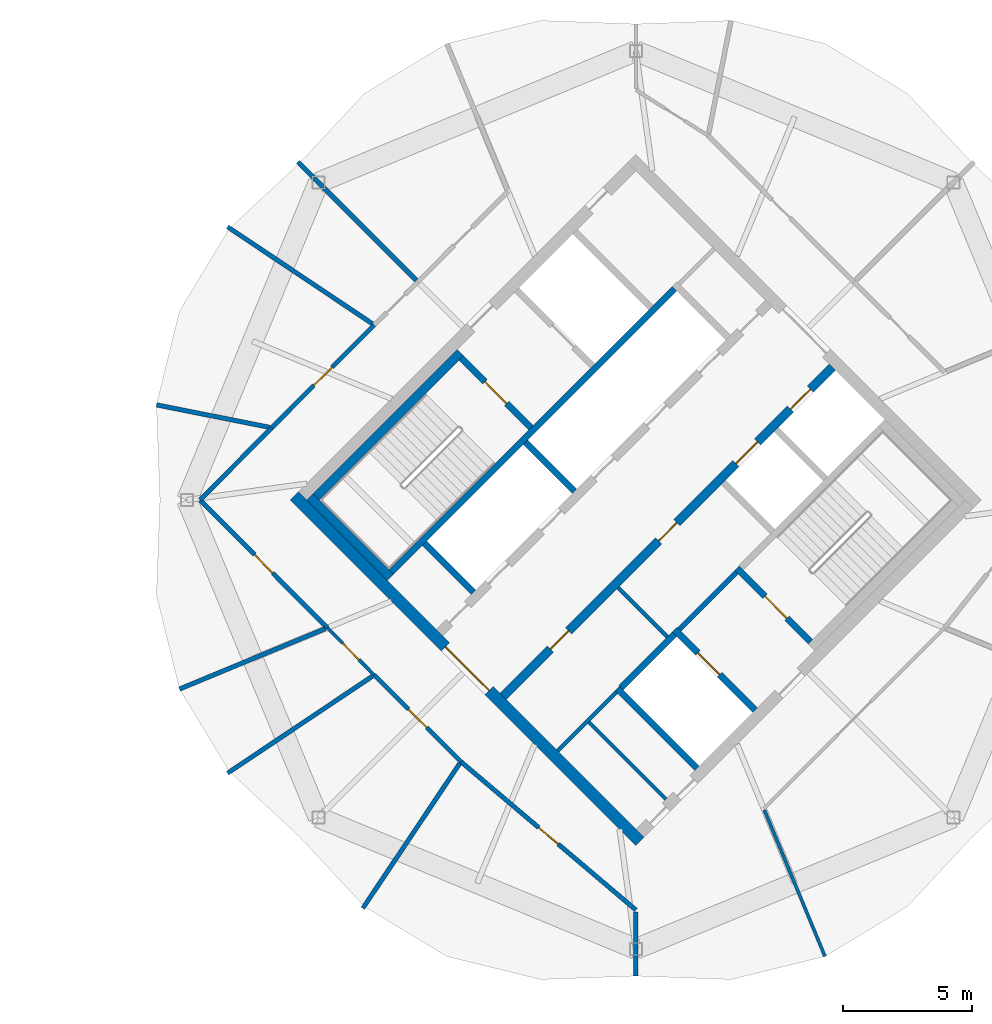
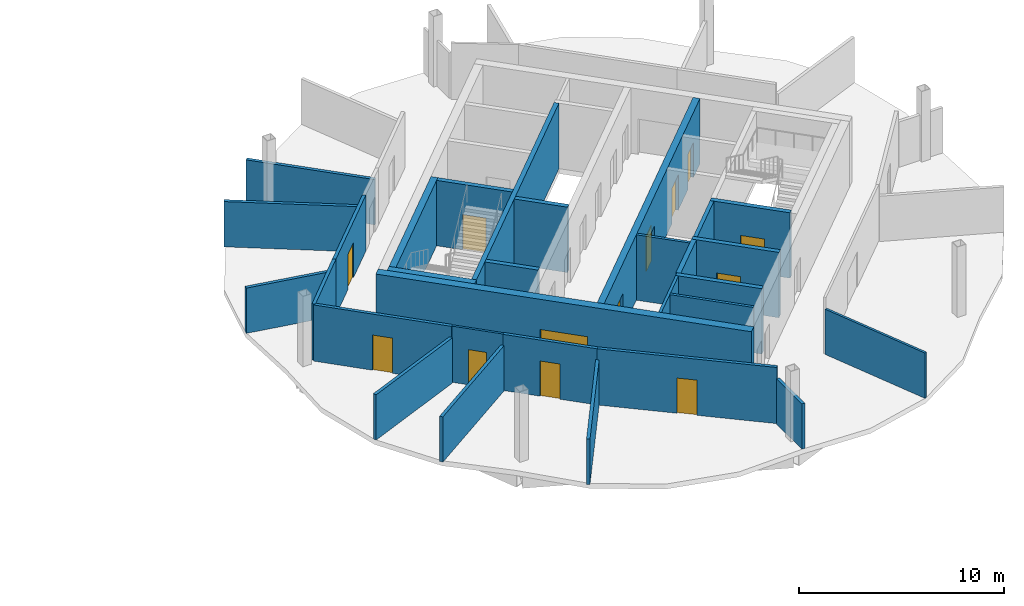
# One storey, part 7 of 11: 30 walls, 13 doors, 13 openings.
"""IFC4 building model written with IfcOpenShell, lengths in metres."""

from ifc_helpers import new_model, si_unit, direction, frame, frame_2d, origin, place, context, subcontext, project, spatial, rectangle, extrude, material, layer, layer_set, type_object, element, fill, save


model = new_model("IFC4")

# Units and contexts
model_context = context("Model", 3, precision=1e-05, world=origin(), true_north=direction((0.0, 1.0)))
body_context = subcontext(model_context, "Body", "Model", "MODEL_VIEW")
ifc_project = project(units=[si_unit("LENGTHUNIT", "METRE"), si_unit("AREAUNIT", "SQUARE_METRE"), si_unit("VOLUMEUNIT", "CUBIC_METRE"), si_unit("PLANEANGLEUNIT", "RADIAN"), si_unit("MASSUNIT", "GRAM", prefix="KILO")], contexts=[model_context])

# Site, building, storey
site_placement = place(None, origin())
site = spatial("IfcSite", under=ifc_project, at=site_placement, CompositionType="ELEMENT")
building_placement = place(site_placement, origin())
building = spatial("IfcBuilding", under=site, at=building_placement, Name="Ogive Gate Towers", CompositionType="ELEMENT")
storey_placement = place(building_placement, frame((0.0, 0.0, 281.39990234375)))
storey = spatial("IfcBuildingStorey", under=building, at=storey_placement, Name="L66", CompositionType="ELEMENT", Elevation=281.39990234375)

# Walls
ifc_material_1 = material(Name="Gypsum board acoustic partition")
ifc_layer_1 = layer(ifc_material_1, 0.175048828125)
ifc_layer_set_1 = layer_set([ifc_layer_1], Name="Acoustic partition 175")
wall_type_1 = type_object("IfcWallType", Name="Acoustic partition 175", PredefinedType="PARTITIONING", material=ifc_layer_set_1)
wall_1_placement = place(storey_placement, frame((22.8544921875, 13.1455078125, 0.0), z_axis=(0.0, 0.0, 1.0), x_axis=(0.707106781187, -0.707106781187, 0.0)))
element("IfcWall", 1, at=wall_1_placement, inside=storey, type_object=wall_type_1, Name="Partition T2-L66-007", PredefinedType="PARTITIONING", context=body_context, shape_type="SweptSolid", body=[
    extrude(rectangle(XDim=6.51318359375, YDim=0.175048828125, at=frame_2d((3.256591796875, 0.0))), origin(), (0.0, 0.0, 1.0), 2.7001953125),
])
wall_2_placement = place(storey_placement, frame((20.122314453125, 10.62060546875, 0.0), z_axis=(0.0, 0.0, 1.0), x_axis=(0.831189880974, -0.555988652551, 0.0)))
element("IfcWall", 2, at=wall_2_placement, inside=storey, type_object=wall_type_1, Name="Partition T2-L66-008", PredefinedType="PARTITIONING", context=body_context, shape_type="SweptSolid", body=[
    extrude(rectangle(XDim=6.774169921875, YDim=0.175048828125, at=frame_2d((3.38720703125, 0.0))), origin(), (0.0, 0.0, 1.0), 2.7001953125),
])
wall_3_placement = place(storey_placement, frame((17.35400390625, 3.69921875, 0.0), z_axis=(0.0, 0.0, 1.0), x_axis=(0.980883320756, -0.194596790988, 0.0)))
element("IfcWall", 3, at=wall_3_placement, inside=storey, type_object=wall_type_1, Name="Partition T2-L66-009", PredefinedType="PARTITIONING", context=body_context, shape_type="SweptSolid", body=[
    extrude(rectangle(XDim=4.4814453125, YDim=0.175048828125, at=frame_2d((2.24072265625, 0.0))), origin(), (0.0, 0.0, 1.0), 2.7001953125),
])
wall_4_placement = place(storey_placement, frame((18.252197265625, -7.351318359375, 0.0), z_axis=(0.0, 0.0, 1.0), x_axis=(0.923879494329, 0.382683524544, 0.0)))
element("IfcWall", 4, at=wall_4_placement, inside=storey, type_object=wall_type_1, Name="Partition T2-L66-010", PredefinedType="PARTITIONING", context=body_context, shape_type="SweptSolid", body=[
    extrude(rectangle(XDim=6.131591796875, YDim=0.175048828125, at=frame_2d((3.06591796875, 0.0))), origin(), (0.0, 0.0, 1.0), 2.7001953125),
])
for number, where, z_axis, x_axis, name in (
    (5, (20.122314453125, -10.62060546875, 0.0), (0.0, 0.0, 1.0), (0.831189880974, 0.555988652551, 0.0), "Partition T2-L66-011"),
    (6, (25.37939453125, -15.877685546875, 0.0), (0.0, 0.0, 1.0), (0.555988652551, 0.831189880974, 0.0), "Partition T2-L66-012"),
):
    element("IfcWall", number, at=place(storey_placement, frame(where, z_axis=z_axis, x_axis=x_axis)), inside=storey, type_object=wall_type_1, Name=name, PredefinedType="PARTITIONING", context=body_context, shape_type="SweptSolid", body=[
        extrude(rectangle(XDim=6.774169921875, YDim=0.175048828125, at=frame_2d((3.38720703125, 0.0))), origin(), (0.0, 0.0, 1.0), 2.7001953125),
    ])
wall_5_placement = place(storey_placement, frame((36.0, -18.509033203125, 0.0), z_axis=(0.0, 0.0, 1.0), x_axis=(0.0, 1.0, 0.0)))
element("IfcWall", 7, at=wall_5_placement, inside=storey, type_object=wall_type_1, Name="Partition T2-L66-013", PredefinedType="PARTITIONING", context=body_context, shape_type="SweptSolid", body=[
    extrude(rectangle(XDim=2.4814453125, YDim=0.175048828125, at=frame_2d((1.24072265625, 0.0))), origin(), (0.0, 0.0, 1.0), 2.7001953125),
])

# Wall, opening, door
wall_6_placement = place(storey_placement, frame((25.82568359375, -6.805419921875, 0.0), z_axis=(0.0, 0.0, 1.0), x_axis=(0.707106781187, -0.707106781187, 0.0)))
wall_6 = element("IfcWall", 8, at=wall_6_placement, inside=storey, type_object=wall_type_1, Name="Partition T2-L66-017", PredefinedType="PARTITIONING", context=body_context, shape_type="SweptSolid", body=[
    extrude(rectangle(XDim=4.764404296875, YDim=0.175048828125, at=frame_2d((2.38232421875, 0.0))), origin(), (0.0, 0.0, 1.0), 3.35009765625),
])
opening_1_placement = place(wall_6_placement, frame((1.882080078125, 0.0, 0.0)))
opening_1 = element("IfcOpeningElement", 9, at=opening_1_placement, cuts=wall_6, Name="Opening T2-L66-D02", PredefinedType="OPENING", context=body_context, shape_type="SweptSolid", body=[
    extrude(rectangle(XDim=1.0, YDim=2.10009765625, at=frame_2d((0.5, 1.050048828125))), frame((0.0, 0.09765625, 0.0), z_axis=(0.0, -1.0, 0.0), x_axis=(1.0, 0.0, 0.0)), (0.0, 0.0, 1.0), 0.195068359375),
])
ifc_material_2 = material(Name="Timber door", Category="wood")
door_type_1 = type_object("IfcDoorType", Name="Door 1000", OperationType="NOTDEFINED", PredefinedType="DOOR", material=ifc_material_2)
door_1_placement = place(opening_1_placement, origin())
door_1 = element("IfcDoor", 10, at=door_1_placement, inside=storey, type_object=door_type_1, Name="Door T2-L66-D02", OperationType="SINGLE_SWING_LEFT", OverallHeight=2.10009765625, OverallWidth=1.0, PredefinedType="DOOR", context=body_context, shape_type="SweptSolid", body=[
    extrude(rectangle(XDim=1.0, YDim=2.10009765625, at=frame_2d((0.5, 1.050048828125))), frame((0.0, 0.02490234375, 0.0), z_axis=(0.0, -1.0, 0.0), x_axis=(1.0, 0.0, 0.0)), (0.0, 0.0, 1.0), 0.050048828125),
])
fill(opening_1, door_1)

wall_7_placement = place(storey_placement, frame((29.194580078125, -10.17431640625, 0.0), z_axis=(0.0, 0.0, 1.0), x_axis=(0.762974994931, -0.646427998396, 0.0)))
wall_7 = element("IfcWall", 11, at=wall_7_placement, inside=storey, type_object=wall_type_1, Name="Partition T2-L66-018", PredefinedType="PARTITIONING", context=body_context, shape_type="SweptSolid", body=[
    extrude(rectangle(XDim=8.919677734375, YDim=0.175048828125, at=frame_2d((4.4599609375, 0.0))), origin(), (0.0, 0.0, 1.0), 3.35009765625),
])
opening_2_placement = place(wall_7_placement, frame((3.9599609375, 0.0, 0.0)))
opening_2 = element("IfcOpeningElement", 12, at=opening_2_placement, cuts=wall_7, Name="Opening T2-L66-D03", PredefinedType="OPENING", context=body_context, shape_type="SweptSolid", body=[
    extrude(rectangle(XDim=1.0, YDim=2.10009765625, at=frame_2d((0.5, 1.050048828125))), frame((0.0, 0.09765625, 0.0), z_axis=(0.0, -1.0, 0.0), x_axis=(1.0, 0.0, 0.0)), (0.0, 0.0, 1.0), 0.195068359375),
])
door_2_placement = place(opening_2_placement, origin())
door_2 = element("IfcDoor", 13, at=door_2_placement, inside=storey, type_object=door_type_1, Name="Door T2-L66-D03", OperationType="SINGLE_SWING_LEFT", OverallHeight=2.10009765625, OverallWidth=1.0, PredefinedType="DOOR", context=body_context, shape_type="SweptSolid", body=[
    extrude(rectangle(XDim=1.0, YDim=2.10009765625, at=frame_2d((0.5, 1.050048828125))), frame((0.0, 0.02490234375, 0.0), z_axis=(0.0, -1.0, 0.0), x_axis=(1.0, 0.0, 0.0)), (0.0, 0.0, 1.0), 0.050048828125),
])
fill(opening_2, door_2)

wall_8_placement = place(storey_placement, frame((25.82568359375, 6.805419921875, 0.0), z_axis=(0.0, 0.0, 1.0), x_axis=(-0.706674273643, -0.707539024345, 0.0)))
wall_8 = element("IfcWall", 14, at=wall_8_placement, inside=storey, type_object=wall_type_1, Name="Partition T2-L66-026", PredefinedType="PARTITIONING", context=body_context, shape_type="SweptSolid", body=[
    extrude(rectangle(XDim=5.646484375, YDim=0.175048828125, at=frame_2d((2.8232421875, 0.0))), origin(), (0.0, 0.0, 1.0), 3.35009765625),
])
opening_3_placement = place(wall_8_placement, frame((2.322998046875, 0.0, 0.0)))
opening_3 = element("IfcOpeningElement", 15, at=opening_3_placement, cuts=wall_8, Name="Opening T2-L66-D11", PredefinedType="OPENING", context=body_context, shape_type="SweptSolid", body=[
    extrude(rectangle(XDim=1.0, YDim=2.10009765625, at=frame_2d((0.5, 1.050048828125))), frame((0.0, 0.09765625, 0.0), z_axis=(0.0, -1.0, 0.0), x_axis=(1.0, 0.0, 0.0)), (0.0, 0.0, 1.0), 0.195068359375),
])
door_3_placement = place(opening_3_placement, origin())
door_3 = element("IfcDoor", 16, at=door_3_placement, inside=storey, type_object=door_type_1, Name="Door T2-L66-D11", OperationType="SINGLE_SWING_LEFT", OverallHeight=2.10009765625, OverallWidth=1.0, PredefinedType="DOOR", context=body_context, shape_type="SweptSolid", body=[
    extrude(rectangle(XDim=1.0, YDim=2.10009765625, at=frame_2d((0.5, 1.050048828125))), frame((0.0, 0.02490234375, 0.0), z_axis=(0.0, -1.0, 0.0), x_axis=(1.0, 0.0, 0.0)), (0.0, 0.0, 1.0), 0.050048828125),
])
fill(opening_3, door_3)

wall_9_placement = place(storey_placement, frame((19.0576171875, 0.0, 0.0), z_axis=(0.0, 0.0, 1.0), x_axis=(0.704873865786, -0.709332667605, 0.0)))
wall_9 = element("IfcWall", 17, at=wall_9_placement, inside=storey, type_object=wall_type_1, Name="Partition T2-L66-027", PredefinedType="PARTITIONING", context=body_context, shape_type="SweptSolid", body=[
    extrude(rectangle(XDim=7.008544921875, YDim=0.175048828125, at=frame_2d((3.50439453125, 0.0))), origin(), (0.0, 0.0, 1.0), 3.35009765625),
])
opening_4_placement = place(wall_9_placement, frame((3.00390625, 0.0, 0.0)))
opening_4 = element("IfcOpeningElement", 18, at=opening_4_placement, cuts=wall_9, Name="Opening T2-L66-D12", PredefinedType="OPENING", context=body_context, shape_type="SweptSolid", body=[
    extrude(rectangle(XDim=1.0, YDim=2.10009765625, at=frame_2d((0.5, 1.050048828125))), frame((0.0, 0.09765625, 0.0), z_axis=(0.0, -1.0, 0.0), x_axis=(1.0, 0.0, 0.0)), (0.0, 0.0, 1.0), 0.195068359375),
])
door_4_placement = place(opening_4_placement, origin())
door_4 = element("IfcDoor", 19, at=door_4_placement, inside=storey, type_object=door_type_1, Name="Door T2-L66-D12", OperationType="SINGLE_SWING_LEFT", OverallHeight=2.10009765625, OverallWidth=1.0, PredefinedType="DOOR", context=body_context, shape_type="SweptSolid", body=[
    extrude(rectangle(XDim=1.0, YDim=2.10009765625, at=frame_2d((0.5, 1.050048828125))), frame((0.0, 0.02490234375, 0.0), z_axis=(0.0, -1.0, 0.0), x_axis=(1.0, 0.0, 0.0)), (0.0, 0.0, 1.0), 0.050048828125),
])
fill(opening_4, door_4)

# Walls
wall_10_placement = place(storey_placement, frame((21.83544921875, 2.810302734375, 0.0), z_axis=(0.0, 0.0, 1.0), x_axis=(-0.702986162579, -0.711203525879, 0.0)))
element("IfcWall", 20, at=wall_10_placement, inside=storey, type_object=wall_type_1, Name="Partition T2-L66-028", PredefinedType="PARTITIONING", context=body_context, shape_type="SweptSolid", body=[
    extrude(rectangle(XDim=3.951416015625, YDim=0.175048828125, at=frame_2d((1.9755859375, 0.0))), origin(), (0.0, 0.0, 1.0), 3.35009765625),
])
ifc_material_3 = material(Name="Masonry blockwork", Category="masonry")
ifc_layer_2 = layer(ifc_material_3, 0.199951171875)
ifc_layer_set_2 = layer_set([ifc_layer_2], Name="Blockwork wall 200 mm")
wall_type_2 = type_object("IfcWallType", Name="Blockwork wall 200 mm", PredefinedType="PARTITIONING", material=ifc_layer_set_2)
wall_11_placement = place(storey_placement, frame((37.679443359375, -5.0380859375, 0.0), z_axis=(0.0, 0.0, 1.0), x_axis=(0.707106781187, 0.707106781187, 0.0)))
element("IfcWall", 21, at=wall_11_placement, inside=storey, type_object=wall_type_2, Name="T2 L66 Blockwork wall 200 mm", PredefinedType="PARTITIONING", context=body_context, shape_type="SweptSolid", body=[
    extrude(rectangle(XDim=3.14990234375, YDim=0.199951171875, at=frame_2d((1.574951171875, 0.0))), origin(), (0.0, 0.0, 1.0), 3.900146484375),
])

# Wall, opening, door
ifc_material_4 = material(Name="Concrete C60/75", Category="concrete")
ifc_layer_3 = layer(ifc_material_4, 0.449951171875)
ifc_layer_set_3 = layer_set([ifc_layer_3], Name="Core wall 450 mm")
wall_type_3 = type_object("IfcWallType", Name="Core wall 450 mm", PredefinedType="SHEAR", material=ifc_layer_set_3)
wall_12_placement = place(storey_placement, frame((36.1591796875, -13.27587890625, 0.0), z_axis=(0.0, 0.0, 1.0), x_axis=(-0.707106781187, 0.707106781187, 0.0)))
wall_12 = element("IfcWall", 22, at=wall_12_placement, inside=storey, type_object=wall_type_3, Name="T2 L66 Core wall 450 mm", PredefinedType="SHEAR", context=body_context, shape_type="SweptSolid", body=[
    extrude(rectangle(XDim=19.0, YDim=0.449951171875, at=frame_2d((9.5, 0.0))), origin(), (0.0, 0.0, 1.0), 3.900146484375),
])
opening_5_placement = place(wall_12_placement, frame((8.300048828125, 0.0, 0.0)))
opening_5 = element("IfcOpeningElement", 23, at=opening_5_placement, cuts=wall_12, Name="Opening KD-T2-L66-01", PredefinedType="OPENING", context=body_context, shape_type="SweptSolid", body=[
    extrude(rectangle(XDim=2.39990234375, YDim=2.10009765625, at=frame_2d((1.199951171875, 1.050048828125))), frame((0.0, 0.23486328125, 0.0), z_axis=(0.0, -1.0, 0.0), x_axis=(1.0, 0.0, 0.0)), (0.0, 0.0, 1.0), 0.469970703125),
])
ifc_material_5 = material(Name="Steel fire door", Category="steel")
door_type_2 = type_object("IfcDoorType", Name="Core double door FD60S 2400 x 2100", OperationType="DOUBLE_DOOR_SINGLE_SWING", PredefinedType="DOOR", material=ifc_material_5)
door_5_placement = place(opening_5_placement, origin())
door_5 = element("IfcDoor", 24, at=door_5_placement, inside=storey, type_object=door_type_2, Name="T2 L66 Core door double", OperationType="DOUBLE_DOOR_SINGLE_SWING", OverallHeight=2.10009765625, OverallWidth=2.39990234375, PredefinedType="DOOR", context=body_context, shape_type="SweptSolid", body=[
    extrude(rectangle(XDim=2.39990234375, YDim=2.10009765625, at=frame_2d((1.199951171875, 1.050048828125))), frame((0.0, 0.02490234375, 0.0), z_axis=(0.0, -1.0, 0.0), x_axis=(1.0, 0.0, 0.0)), (0.0, 0.0, 1.0), 0.050048828125),
])
fill(opening_5, door_5)

# Wall
ifc_material_6 = material(Name="Gypsum board partition")
ifc_layer_4 = layer(ifc_material_6, 0.125)
ifc_layer_set_4 = layer_set([ifc_layer_4], Name="Partition 125")
wall_type_4 = type_object("IfcWallType", Name="Partition 125", PredefinedType="PARTITIONING", material=ifc_layer_set_4)
wall_13_placement = place(storey_placement, frame((43.351318359375, -17.747802734375, 0.0), z_axis=(0.0, 0.0, 1.0), x_axis=(-0.382685687972, 0.923878598205, 0.0)))
element("IfcWall", 25, at=wall_13_placement, inside=storey, type_object=wall_type_4, Name="Partition T2-L66-014", PredefinedType="PARTITIONING", context=body_context, shape_type="SweptSolid", body=[
    extrude(rectangle(XDim=6.156494140625, YDim=0.125, at=frame_2d((3.078125, 0.0))), origin(), (0.0, 0.0, 1.0), 2.7001953125),
])

# Wall, opening, door
wall_14_placement = place(storey_placement, frame((23.997802734375, -4.971435546875, 0.0), z_axis=(0.0, 0.0, 1.0), x_axis=(0.705927210727, -0.708284387202, 0.0)))
wall_14 = element("IfcWall", 26, at=wall_14_placement, inside=storey, type_object=wall_type_4, Name="Partition T2-L66-016", PredefinedType="PARTITIONING", context=body_context, shape_type="SweptSolid", body=[
    extrude(rectangle(XDim=2.58935546875, YDim=0.125, at=frame_2d((1.294677734375, 0.0))), origin(), (0.0, 0.0, 1.0), 3.35009765625),
])
opening_6_placement = place(wall_14_placement, frame((0.844970703125, 0.0, 0.0)))
opening_6 = element("IfcOpeningElement", 27, at=opening_6_placement, cuts=wall_14, Name="Opening T2-L66-D01", PredefinedType="OPENING", context=body_context, shape_type="SweptSolid", body=[
    extrude(rectangle(XDim=0.89990234375, YDim=2.10009765625, at=frame_2d((0.449951171875, 1.050048828125))), frame((0.0, 0.072509765625, 0.0), z_axis=(0.0, -1.0, 0.0), x_axis=(1.0, 0.0, 0.0)), (0.0, 0.0, 1.0), 0.14501953125),
])
door_type_3 = type_object("IfcDoorType", Name="Door 900", OperationType="NOTDEFINED", PredefinedType="DOOR", material=ifc_material_2)
door_6_placement = place(opening_6_placement, origin())
door_6 = element("IfcDoor", 28, at=door_6_placement, inside=storey, type_object=door_type_3, Name="Door T2-L66-D01", OperationType="SINGLE_SWING_LEFT", OverallHeight=2.10009765625, OverallWidth=0.89990234375, PredefinedType="DOOR", context=body_context, shape_type="SweptSolid", body=[
    extrude(rectangle(XDim=0.89990234375, YDim=2.10009765625, at=frame_2d((0.449951171875, 1.050048828125))), frame((0.0, 0.02490234375, 0.0), z_axis=(0.0, -1.0, 0.0), x_axis=(1.0, 0.0, 0.0)), (0.0, 0.0, 1.0), 0.050048828125),
])
fill(opening_6, door_6)

# Walls
ifc_layer_5 = layer(ifc_material_6, 0.14990234375)
ifc_layer_set_5 = layer_set([ifc_layer_5], Name="Room partition 150 mm")
wall_type_5 = type_object("IfcWallType", Name="Room partition 150 mm", PredefinedType="PARTITIONING", material=ifc_layer_set_5)
wall_15_placement = place(storey_placement, frame((32.95947265625, -9.758056640625, 0.0), z_axis=(0.0, 0.0, 1.0), x_axis=(0.707144631829, 0.707068928518, 0.0)))
element("IfcWall", 29, at=wall_15_placement, inside=storey, type_object=wall_type_5, Name="T2 L66 Room partition 150 mm", PredefinedType="PARTITIONING", context=body_context, shape_type="SweptSolid", body=[
    extrude(rectangle(XDim=3.224853515625, YDim=0.14990234375, at=frame_2d((1.6123046875, 0.0))), origin(), (0.0, 0.0, 1.0), 3.900146484375),
])
wall_16_placement = place(storey_placement, frame((37.166748046875, -11.6318359375, 0.0), z_axis=(0.0, 0.0, 1.0), x_axis=(-0.707106781187, 0.707106781187, 0.0)))
element("IfcWall", 30, at=wall_16_placement, inside=storey, type_object=wall_type_5, Name="T2 L66 Room partition 150 mm", PredefinedType="PARTITIONING", context=body_context, shape_type="SweptSolid", body=[
    extrude(rectangle(XDim=4.22509765625, YDim=0.14990234375, at=frame_2d((2.112548828125, 0.0))), origin(), (0.0, 0.0, 1.0), 3.900146484375),
])
wall_17_placement = place(storey_placement, frame((37.2197265625, -5.321044921875, 0.0), z_axis=(0.0, 0.0, 1.0), x_axis=(-0.707106781187, 0.707106781187, 0.0)))
element("IfcWall", 31, at=wall_17_placement, inside=storey, type_object=wall_type_5, Name="T2 L66 Room partition 150 mm", PredefinedType="PARTITIONING", context=body_context, shape_type="SweptSolid", body=[
    extrude(rectangle(XDim=2.699951171875, YDim=0.14990234375, at=frame_2d((1.35009765625, 0.0))), origin(), (0.0, 0.0, 1.0), 3.900146484375),
])
ifc_layer_6 = layer(ifc_material_4, 0.25)
ifc_layer_set_6 = layer_set([ifc_layer_6], Name="Shaft wall 250 mm")
wall_type_6 = type_object("IfcWallType", Name="Shaft wall 250 mm", PredefinedType="SHEAR", material=ifc_layer_set_6)
wall_18_placement = place(storey_placement, frame((35.41650390625, -7.30078125, 0.0), z_axis=(0.0, 0.0, 1.0), x_axis=(0.707148157867, 0.707065402085, 0.0)))
element("IfcWall", 32, at=wall_18_placement, inside=storey, type_object=wall_type_6, Name="T2 L66 Shaft wall 250 mm", PredefinedType="SHEAR", context=body_context, shape_type="SweptSolid", body=[
    extrude(rectangle(XDim=2.9501953125, YDim=0.25, at=frame_2d((1.47509765625, 0.0))), origin(), (0.0, 0.0, 1.0), 3.900146484375),
])
wall_19_placement = place(storey_placement, frame((26.489501953125, -2.793212890625, 0.0), z_axis=(0.0, 0.0, 1.0), x_axis=(0.707098943647, 0.70711461864, 0.0)))
element("IfcWall", 33, at=wall_19_placement, inside=storey, type_object=wall_type_6, Name="T2 L66 Shaft wall 250 mm", PredefinedType="SHEAR", context=body_context, shape_type="SweptSolid", body=[
    extrude(rectangle(XDim=15.5751953125, YDim=0.25, at=frame_2d((7.78759765625, 0.0))), origin(), (0.0, 0.0, 1.0), 3.900146484375),
])
wall_20_placement = place(storey_placement, frame((29.689208984375, -3.588623046875, 0.0), z_axis=(0.0, 0.0, 1.0), x_axis=(-0.707151988282, 0.707061571201, 0.0)))
element("IfcWall", 34, at=wall_20_placement, inside=storey, type_object=wall_type_6, Name="T2 L66 Shaft wall 250 mm", PredefinedType="SHEAR", context=body_context, shape_type="SweptSolid", body=[
    extrude(rectangle(XDim=2.7001953125, YDim=0.25, at=frame_2d((1.35009765625, 0.0))), origin(), (0.0, 0.0, 1.0), 3.900146484375),
])
wall_21_placement = place(storey_placement, frame((38.368896484375, -10.4296875, 0.0), z_axis=(0.0, 0.0, 1.0), x_axis=(-0.707134682099, 0.707078879173, 0.0)))
element("IfcWall", 35, at=wall_21_placement, inside=storey, type_object=wall_type_6, Name="T2 L66 Shaft wall 250 mm", PredefinedType="SHEAR", context=body_context, shape_type="SweptSolid", body=[
    extrude(rectangle(XDim=4.375, YDim=0.25, at=frame_2d((2.1875, 0.0))), origin(), (0.0, 0.0, 1.0), 3.900146484375),
])

# Wall, opening, door
wall_22_placement = place(storey_placement, frame((40.631591796875, -8.1669921875, 0.0), z_axis=(0.0, 0.0, 1.0), x_axis=(-0.707106781187, 0.707106781187, 0.0)))
wall_22 = element("IfcWall", 36, at=wall_22_placement, inside=storey, type_object=wall_type_6, Name="T2 L66 Shaft wall 250 mm", PredefinedType="SHEAR", context=body_context, shape_type="SweptSolid", body=[
    extrude(rectangle(XDim=4.425048828125, YDim=0.25, at=frame_2d((2.21240234375, 0.0))), origin(), (0.0, 0.0, 1.0), 3.900146484375),
])
opening_7_placement = place(wall_22_placement, frame((1.949951171875, 0.0, 0.0)))
opening_7 = element("IfcOpeningElement", 37, at=opening_7_placement, cuts=wall_22, Name="Opening LD-T2-L66-13", PredefinedType="OPENING", context=body_context, shape_type="SweptSolid", body=[
    extrude(rectangle(XDim=1.199951171875, YDim=2.10009765625, at=frame_2d((0.60009765625, 1.050048828125))), frame((0.0, 0.135009765625, 0.0), z_axis=(0.0, -1.0, 0.0), x_axis=(1.0, 0.0, 0.0)), (0.0, 0.0, 1.0), 0.27001953125),
])
ifc_material_7 = material(Name="Stainless steel landing door", Category="steel")
door_type_4 = type_object("IfcDoorType", Name="Landing door 1200 x 2100", OperationType="SLIDING_TO_LEFT", PredefinedType="DOOR", material=ifc_material_7)
door_7_placement = place(opening_7_placement, origin())
door_7 = element("IfcDoor", 38, at=door_7_placement, inside=storey, type_object=door_type_4, Name="T2 L66 Lift landing door FF2", OperationType="SLIDING_TO_LEFT", OverallHeight=2.10009765625, OverallWidth=1.199951171875, PredefinedType="DOOR", context=body_context, shape_type="SweptSolid", body=[
    extrude(rectangle(XDim=1.199951171875, YDim=2.10009765625, at=frame_2d((0.60009765625, 1.050048828125))), frame((0.0, 0.02490234375, 0.0), z_axis=(0.0, -1.0, 0.0), x_axis=(1.0, 0.0, 0.0)), (0.0, 0.0, 1.0), 0.050048828125),
])
fill(opening_7, door_7)

# Wall
wall_23_placement = place(storey_placement, frame((33.613525390625, 0.3359375, 0.0), z_axis=(0.0, 0.0, 1.0), x_axis=(-0.707106781187, 0.707106781187, 0.0)))
element("IfcWall", 39, at=wall_23_placement, inside=storey, type_object=wall_type_6, Name="T2 L66 Shaft wall 250 mm", PredefinedType="SHEAR", context=body_context, shape_type="SweptSolid", body=[
    extrude(rectangle(XDim=2.699951171875, YDim=0.25, at=frame_2d((1.35009765625, 0.0))), origin(), (0.0, 0.0, 1.0), 3.900146484375),
])

# Wall, opening, door
wall_24_placement = place(storey_placement, frame((31.91650390625, 2.810791015625, 0.0), z_axis=(0.0, 0.0, 1.0), x_axis=(-0.707106781187, 0.707106781187, 0.0)))
wall_24 = element("IfcWall", 40, at=wall_24_placement, inside=storey, type_object=wall_type_6, Name="T2 L66 Shaft wall 250 mm", PredefinedType="SHEAR", context=body_context, shape_type="SweptSolid", body=[
    extrude(rectangle(XDim=3.824951171875, YDim=0.25, at=frame_2d((1.91259765625, 0.0))), origin(), (0.0, 0.0, 1.0), 3.900146484375),
])
opening_8_placement = place(wall_24_placement, frame((1.324951171875, 0.0, 0.0)))
opening_8 = element("IfcOpeningElement", 41, at=opening_8_placement, cuts=wall_24, Name="Opening KD-T2-L66-16", PredefinedType="OPENING", context=body_context, shape_type="SweptSolid", body=[
    extrude(rectangle(XDim=1.199951171875, YDim=2.10009765625, at=frame_2d((0.60009765625, 1.050048828125))), frame((0.0, 0.135009765625, 0.0), z_axis=(0.0, -1.0, 0.0), x_axis=(1.0, 0.0, 0.0)), (0.0, 0.0, 1.0), 0.27001953125),
])
door_type_5 = type_object("IfcDoorType", Name="Core door FD60S 1200 x 2100", OperationType="NOTDEFINED", PredefinedType="DOOR", material=ifc_material_5)
door_8_placement = place(opening_8_placement, origin())
door_8 = element("IfcDoor", 42, at=door_8_placement, inside=storey, type_object=door_type_5, Name="T2 L66 Stair door", OperationType="SINGLE_SWING_LEFT", OverallHeight=2.10009765625, OverallWidth=1.199951171875, PredefinedType="DOOR", context=body_context, shape_type="SweptSolid", body=[
    extrude(rectangle(XDim=1.199951171875, YDim=2.10009765625, at=frame_2d((0.60009765625, 1.050048828125))), frame((0.0, 0.02490234375, 0.0), z_axis=(0.0, -1.0, 0.0), x_axis=(1.0, 0.0, 0.0)), (0.0, 0.0, 1.0), 0.050048828125),
])
fill(opening_8, door_8)

wall_25_placement = place(storey_placement, frame((42.7880859375, -5.515380859375, 0.0), z_axis=(0.0, 0.0, 1.0), x_axis=(-0.707106781187, 0.707106781187, 0.0)))
wall_25 = element("IfcWall", 43, at=wall_25_placement, inside=storey, type_object=wall_type_6, Name="T2 L66 Shaft wall 250 mm", PredefinedType="SHEAR", context=body_context, shape_type="SweptSolid", body=[
    extrude(rectangle(XDim=4.050048828125, YDim=0.25, at=frame_2d((2.02490234375, 0.0))), origin(), (0.0, 0.0, 1.0), 3.900146484375),
])
opening_9_placement = place(wall_25_placement, frame((1.300048828125, 0.0, 0.0)))
opening_9 = element("IfcOpeningElement", 44, at=opening_9_placement, cuts=wall_25, Name="Opening KD-T2-L66-17", PredefinedType="OPENING", context=body_context, shape_type="SweptSolid", body=[
    extrude(rectangle(XDim=1.199951171875, YDim=2.10009765625, at=frame_2d((0.60009765625, 1.050048828125))), frame((0.0, 0.135009765625, 0.0), z_axis=(0.0, -1.0, 0.0), x_axis=(1.0, 0.0, 0.0)), (0.0, 0.0, 1.0), 0.27001953125),
])
door_9_placement = place(opening_9_placement, origin())
door_9 = element("IfcDoor", 45, at=door_9_placement, inside=storey, type_object=door_type_5, Name="T2 L66 Stair door", OperationType="SINGLE_SWING_RIGHT", OverallHeight=2.10009765625, OverallWidth=1.199951171875, PredefinedType="DOOR", context=body_context, shape_type="SweptSolid", body=[
    extrude(rectangle(XDim=1.199951171875, YDim=2.10009765625, at=frame_2d((0.60009765625, 1.050048828125))), frame((0.0, 0.02490234375, 0.0), z_axis=(0.0, -1.0, 0.0), x_axis=(1.0, 0.0, 0.0)), (0.0, 0.0, 1.0), 0.050048828125),
])
fill(opening_9, door_9)

# Wall, openings, doors
ifc_layer_7 = layer(ifc_material_4, 0.35009765625)
ifc_layer_set_7 = layer_set([ifc_layer_7], Name="Spine wall 350 mm")
wall_type_7 = type_object("IfcWallType", Name="Spine wall 350 mm", PredefinedType="SHEAR", material=ifc_layer_set_7)
wall_26_placement = place(storey_placement, frame((30.838134765625, -7.63671875, 0.0), z_axis=(0.0, 0.0, 1.0), x_axis=(0.707106781187, 0.707106781187, 0.0)))
wall_26 = element("IfcWall", 46, at=wall_26_placement, inside=storey, type_object=wall_type_7, Name="T2 L66 Spine wall 350 mm", PredefinedType="SHEAR", context=body_context, shape_type="SweptSolid", body=[
    extrude(rectangle(XDim=18.099853515625, YDim=0.35009765625, at=frame_2d((9.0498046875, 0.0))), origin(), (0.0, 0.0, 1.0), 3.900146484375),
])
opening_10_placement = place(wall_26_placement, frame((12.800048828125, 0.0, 0.0)))
opening_10 = element("IfcOpeningElement", 47, at=opening_10_placement, cuts=wall_26, Name="Opening LD-T2-L66-10", PredefinedType="OPENING", context=body_context, shape_type="SweptSolid", body=[
    extrude(rectangle(XDim=1.199951171875, YDim=2.10009765625, at=frame_2d((0.60009765625, 1.050048828125))), frame((0.0, 0.18505859375, 0.0), z_axis=(0.0, -1.0, 0.0), x_axis=(1.0, 0.0, 0.0)), (0.0, 0.0, 1.0), 0.3701171875),
])
opening_11_placement = place(wall_26_placement, frame((15.800048828125, 0.0, 0.0)))
opening_11 = element("IfcOpeningElement", 48, at=opening_11_placement, cuts=wall_26, Name="Opening LD-T2-L66-11", PredefinedType="OPENING", context=body_context, shape_type="SweptSolid", body=[
    extrude(rectangle(XDim=1.10009765625, YDim=2.10009765625, at=frame_2d((0.550048828125, 1.050048828125))), frame((0.0, 0.18505859375, 0.0), z_axis=(0.0, -1.0, 0.0), x_axis=(1.0, 0.0, 0.0)), (0.0, 0.0, 1.0), 0.3701171875),
])
opening_12_placement = place(wall_26_placement, frame((2.60009765625, 0.0, 0.0)))
opening_12 = element("IfcOpeningElement", 49, at=opening_12_placement, cuts=wall_26, Name="Opening KD-T2-L66-14", PredefinedType="OPENING", context=body_context, shape_type="SweptSolid", body=[
    extrude(rectangle(XDim=1.0, YDim=2.10009765625, at=frame_2d((0.5, 1.050048828125))), frame((0.0, 0.18505859375, 0.0), z_axis=(0.0, -1.0, 0.0), x_axis=(1.0, 0.0, 0.0)), (0.0, 0.0, 1.0), 0.3701171875),
])
opening_13_placement = place(wall_26_placement, frame((8.550048828125, 0.0, 0.0)))
opening_13 = element("IfcOpeningElement", 50, at=opening_13_placement, cuts=wall_26, Name="Opening KD-T2-L66-15", PredefinedType="OPENING", context=body_context, shape_type="SweptSolid", body=[
    extrude(rectangle(XDim=1.0, YDim=2.10009765625, at=frame_2d((0.5, 1.050048828125))), frame((0.0, 0.18505859375, 0.0), z_axis=(0.0, -1.0, 0.0), x_axis=(1.0, 0.0, 0.0)), (0.0, 0.0, 1.0), 0.3701171875),
])
door_type_6 = type_object("IfcDoorType", Name="Core door FD60S 1000 x 2100", OperationType="NOTDEFINED", PredefinedType="DOOR", material=ifc_material_5)
door_10_placement = place(opening_12_placement, origin())
door_10 = element("IfcDoor", 51, at=door_10_placement, inside=storey, type_object=door_type_6, Name="T2 L66 Core door", OperationType="SINGLE_SWING_LEFT", OverallHeight=2.10009765625, OverallWidth=1.0, PredefinedType="DOOR", context=body_context, shape_type="SweptSolid", body=[
    extrude(rectangle(XDim=1.0, YDim=2.10009765625, at=frame_2d((0.5, 1.050048828125))), frame((0.0, 0.02490234375, 0.0), z_axis=(0.0, -1.0, 0.0), x_axis=(1.0, 0.0, 0.0)), (0.0, 0.0, 1.0), 0.050048828125),
])
fill(opening_12, door_10)
door_11_placement = place(opening_13_placement, origin())
door_11 = element("IfcDoor", 52, at=door_11_placement, inside=storey, type_object=door_type_6, Name="T2 L66 Core door", OperationType="SINGLE_SWING_RIGHT", OverallHeight=2.10009765625, OverallWidth=1.0, PredefinedType="DOOR", context=body_context, shape_type="SweptSolid", body=[
    extrude(rectangle(XDim=1.0, YDim=2.10009765625, at=frame_2d((0.5, 1.050048828125))), frame((0.0, 0.02490234375, 0.0), z_axis=(0.0, -1.0, 0.0), x_axis=(1.0, 0.0, 0.0)), (0.0, 0.0, 1.0), 0.050048828125),
])
fill(opening_13, door_11)
door_type_7 = type_object("IfcDoorType", Name="Landing door 1100 x 2100", OperationType="SLIDING_TO_LEFT", PredefinedType="DOOR", material=ifc_material_7)
door_12_placement = place(opening_11_placement, origin())
door_12 = element("IfcDoor", 53, at=door_12_placement, inside=storey, type_object=door_type_7, Name="T2 L66 Lift landing door B6", OperationType="SLIDING_TO_LEFT", OverallHeight=2.10009765625, OverallWidth=1.10009765625, PredefinedType="DOOR", context=body_context, shape_type="SweptSolid", body=[
    extrude(rectangle(XDim=1.10009765625, YDim=2.10009765625, at=frame_2d((0.550048828125, 1.050048828125))), frame((0.0, 0.02490234375, 0.0), z_axis=(0.0, -1.0, 0.0), x_axis=(1.0, 0.0, 0.0)), (0.0, 0.0, 1.0), 0.050048828125),
])
fill(opening_11, door_12)
door_13_placement = place(opening_10_placement, origin())
door_13 = element("IfcDoor", 54, at=door_13_placement, inside=storey, type_object=door_type_4, Name="T2 L66 Lift landing door SVC", OperationType="SLIDING_TO_LEFT", OverallHeight=2.10009765625, OverallWidth=1.199951171875, PredefinedType="DOOR", context=body_context, shape_type="SweptSolid", body=[
    extrude(rectangle(XDim=1.199951171875, YDim=2.10009765625, at=frame_2d((0.60009765625, 1.050048828125))), frame((0.0, 0.02490234375, 0.0), z_axis=(0.0, -1.0, 0.0), x_axis=(1.0, 0.0, 0.0)), (0.0, 0.0, 1.0), 0.050048828125),
])
fill(opening_10, door_13)

# Walls
ifc_layer_8 = layer(ifc_material_4, 0.35009765625)
ifc_layer_set_8 = layer_set([ifc_layer_8], Name="Stair wall 350 mm")
wall_type_8 = type_object("IfcWallType", Name="Stair wall 350 mm", PredefinedType="SHEAR", material=ifc_layer_set_8)
wall_27_placement = place(storey_placement, frame((23.572509765625, 0.123779296875, 0.0), z_axis=(0.0, 0.0, 1.0), x_axis=(0.707122184046, 0.707091377991, 0.0)))
element("IfcWall", 55, at=wall_27_placement, inside=storey, type_object=wall_type_8, Name="T2 L66 Stair wall 350 mm", PredefinedType="SHEAR", context=body_context, shape_type="SweptSolid", body=[
    extrude(rectangle(XDim=7.925048828125, YDim=0.35009765625, at=frame_2d((3.96240234375, 0.0))), origin(), (0.0, 0.0, 1.0), 3.900146484375),
])
wall_28_placement = place(storey_placement, frame((26.4541015625, -3.005126953125, 0.0), z_axis=(0.0, 0.0, 1.0), x_axis=(-0.707106781187, 0.707106781187, 0.0)))
element("IfcWall", 56, at=wall_28_placement, inside=storey, type_object=wall_type_8, Name="T2 L66 Stair wall 350 mm", PredefinedType="SHEAR", context=body_context, shape_type="SweptSolid", body=[
    extrude(rectangle(XDim=4.425048828125, YDim=0.35009765625, at=frame_2d((2.21240234375, 0.0))), origin(), (0.0, 0.0, 1.0), 3.900146484375),
])

save(model, "model.ifc")
